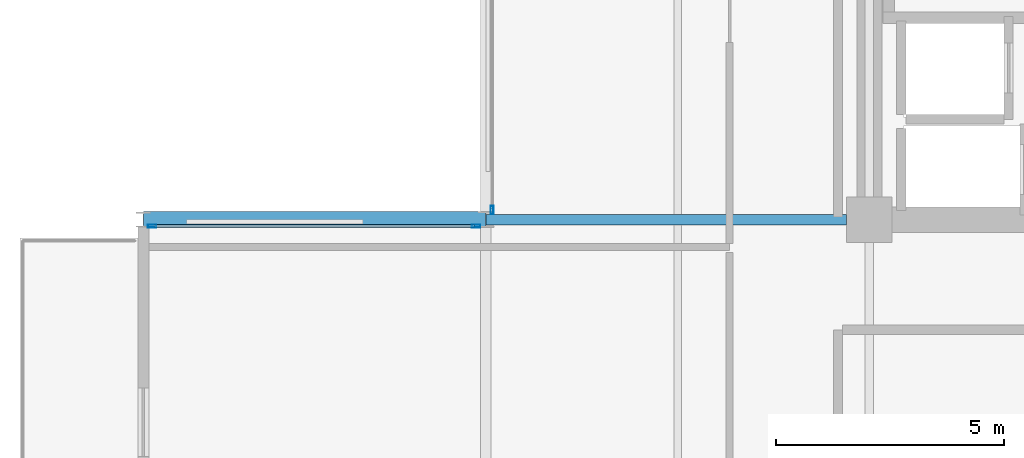
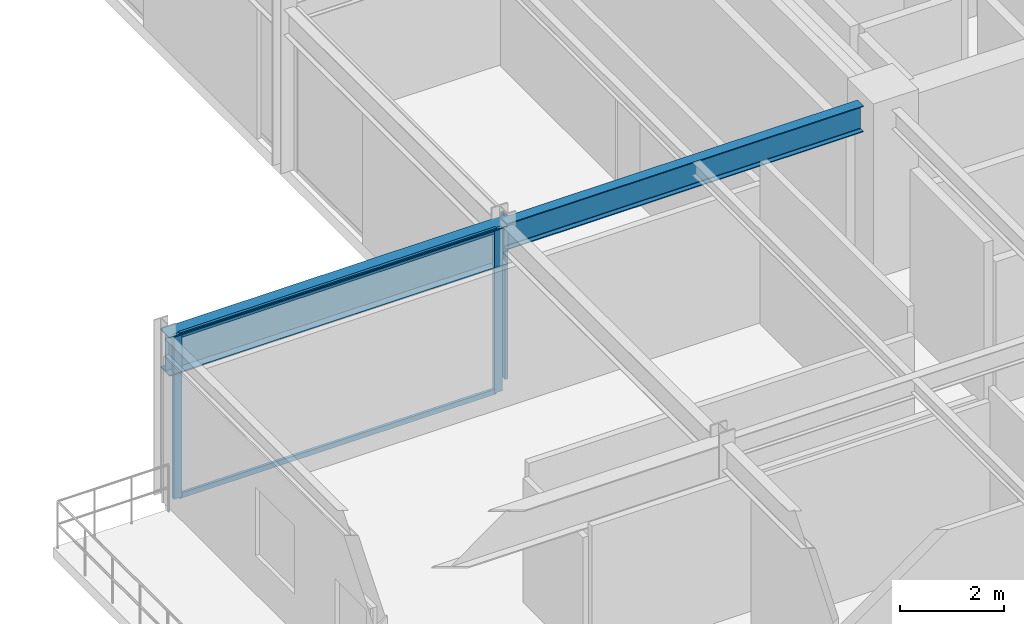
# One storey, part 9 of 29: 5 members, 2 beams, 2 elements without a shape of their own.
"""IFC4 building model written with IfcOpenShell, lengths in metres."""

from ifc_helpers import new_model, si_unit, direction, frame, origin, origin_2d, place, context, subcontext, project, spatial, hollow_rectangle, i_section, extrude, material, layer, layer_set, material_profile, profile_set, type_object, element, aggregate, save


model = new_model("IFC4")

# Units and contexts
model_context = context("Model", 3, precision=1e-05, world=origin(), true_north=direction((0.0, 1.0)))
body_context = subcontext(model_context, "Body", "Model", "MODEL_VIEW")
ifc_project = project(units=[si_unit("LENGTHUNIT", "METRE"), si_unit("AREAUNIT", "SQUARE_METRE"), si_unit("VOLUMEUNIT", "CUBIC_METRE"), si_unit("PLANEANGLEUNIT", "RADIAN"), si_unit("MASSUNIT", "GRAM", prefix="KILO")], contexts=[model_context])

# Site, building, storey
site_placement = place(None, origin())
site = spatial("IfcSite", under=ifc_project, at=site_placement, CompositionType="ELEMENT")
building_placement = place(site_placement, origin())
building = spatial("IfcBuilding", under=site, at=building_placement, Name="Nerrivon Quay Data Exchange", CompositionType="ELEMENT")
storey_placement = place(building_placement, frame((0.0, 0.0, 183.699951171875)))
storey = spatial("IfcBuildingStorey", under=building, at=storey_placement, Name="L43", CompositionType="ELEMENT", Elevation=183.699951171875)

# Beams
ifc_material_1 = material(Name="Steel Grade 350", Category="steel")
ifc_material_profile_1 = material_profile(ifc_material_1, i_section(OverallWidth=0.35009765625, OverallDepth=0.909912109375, WebThickness=0.011962890625, FlangeThickness=0.02490234375, at=origin_2d()), Name="900WB218")
ifc_profile_set_1 = profile_set([ifc_material_profile_1], Name="Steel Grade 350")
beam_type_1 = type_object("IfcBeamType", Name="BM-CANT-900WB", PredefinedType="USERDEFINED", material=ifc_profile_set_1)
beam_1_placement = place(storey_placement, frame((-0.010009765625, 25.199951171875, 3.3701171875), z_axis=(-1.0, 0.0, 0.0), x_axis=(0.0, -1.0, 0.0)))
element("IfcBeam", 1, at=beam_1_placement, inside=storey, type_object=beam_type_1, Name="L43 West Hooked Cantilever Girder Y=25.2", ObjectType="TRANSFER", PredefinedType="USERDEFINED", context=body_context, shape_type="SweptSolid", body=[
    extrude(i_section(OverallWidth=0.35009765625, OverallDepth=0.909912109375, WebThickness=0.011962890625, FlangeThickness=0.02490234375, at=origin_2d()), origin(), (0.0, 0.0, 1.0), 7.482177734375),
])
ifc_material_profile_2 = material_profile(ifc_material_1, i_section(OverallWidth=0.22900390625, OverallDepth=0.612060546875, WebThickness=0.011962890625, FlangeThickness=0.01953125, FilletRadius=0.013916015625, at=origin_2d()), Name="610UB125")
ifc_profile_set_2 = profile_set([ifc_material_profile_2], Name="Steel Grade 350")
beam_type_2 = type_object("IfcBeamType", Name="BM-G1-610UB125", PredefinedType="BEAM", material=ifc_profile_set_2)
beam_2_placement = place(storey_placement, frame((0.010009765625, 25.199951171875, 3.51904296875), z_axis=(1.0, 0.0, 0.0), x_axis=(0.0, 1.0, 0.0)))
element("IfcBeam", 2, at=beam_2_placement, inside=storey, type_object=beam_type_2, Name="L43 EW Girder Y=25.2 (0.0..8.4)", PredefinedType="BEAM", context=body_context, shape_type="SweptSolid", body=[
    extrude(i_section(OverallWidth=0.22900390625, OverallDepth=0.612060546875, WebThickness=0.011962890625, FlangeThickness=0.01953125, FilletRadius=0.013916015625, at=origin_2d()), origin(), (0.0, 0.0, 1.0), 7.889892578125),
])

# Curtain wall, members
ifc_material_2 = material(Name="Anodised aluminium 6063-T6", Category="aluminium")
ifc_layer_1 = layer(ifc_material_2, 0.199951171875)
ifc_layer_set_1 = layer_set([ifc_layer_1], Name="Anodised aluminium 6063-T6")
curtain_wall_type_1 = type_object("IfcCurtainWallType", Name="CW-SYS-04", PredefinedType="NOTDEFINED", material=ifc_layer_set_1)
curtain_wall_1_placement = place(storey_placement, origin())
curtain_wall_1 = element("IfcCurtainWall", 3, at=curtain_wall_1_placement, inside=storey, type_object=curtain_wall_type_1, Name="L43 Unitised Curtain Wall 3", PredefinedType="NOTDEFINED")
ifc_material_profile_3 = material_profile(ifc_material_2, hollow_rectangle(XDim=0.06494140625, YDim=0.179931640625, WallThickness=0.00341796875, at=origin_2d()), Name="ALU-MULL-180x65")
ifc_profile_set_3 = profile_set([ifc_material_profile_3], Name="Anodised aluminium 6063-T6")
member_type_1 = type_object("IfcMemberType", Name="CWM-180x65", PredefinedType="MULLION", material=ifc_profile_set_3)
member_1_placement = place(storey_placement, frame((-7.306884765625, 25.06005859375, 0.0), z_axis=(0.0, 0.0, 1.0), x_axis=(0.0, 1.0, 0.0)))
member_1 = element("IfcMember", 4, at=member_1_placement, type_object=member_type_1, Name="CW04 mullion 1", PredefinedType="MULLION", context=body_context, shape_type="SweptSolid", body=[
    extrude(hollow_rectangle(XDim=0.06494140625, YDim=0.179931640625, WallThickness=0.00341796875, at=origin_2d()), origin(), (0.0, 0.0, 1.0), 3.824951171875),
])
member_2_placement = place(storey_placement, frame((-0.21240234375, 25.06005859375, 0.0), z_axis=(0.0, 0.0, 1.0), x_axis=(0.0, 1.0, 0.0)))
member_2 = element("IfcMember", 5, at=member_2_placement, type_object=member_type_1, Name="CW04 mullion 2", PredefinedType="MULLION", context=body_context, shape_type="SweptSolid", body=[
    extrude(hollow_rectangle(XDim=0.06494140625, YDim=0.179931640625, WallThickness=0.00341796875, at=origin_2d()), origin(), (0.0, 0.0, 1.0), 3.824951171875),
])

# Curtain wall, member
ifc_layer_2 = layer(ifc_material_2, 0.195068359375)
ifc_layer_set_2 = layer_set([ifc_layer_2], Name="Anodised aluminium 6063-T6")
curtain_wall_type_2 = type_object("IfcCurtainWallType", Name="CW-SYS-06", PredefinedType="NOTDEFINED", material=ifc_layer_set_2)
curtain_wall_2_placement = place(storey_placement, origin())
curtain_wall_2 = element("IfcCurtainWall", 6, at=curtain_wall_2_placement, inside=storey, type_object=curtain_wall_type_2, Name="L43 Unitised Curtain Wall 4", PredefinedType="NOTDEFINED")
member_3_placement = place(storey_placement, frame((0.139892578125, 25.41259765625, 0.0), z_axis=(0.0, 0.0, 1.0), x_axis=(-1.0, 0.0, 0.0)))
member_3 = element("IfcMember", 7, at=member_3_placement, type_object=member_type_1, Name="CW06 mullion 1", PredefinedType="MULLION", context=body_context, shape_type="SweptSolid", body=[
    extrude(hollow_rectangle(XDim=0.06494140625, YDim=0.179931640625, WallThickness=0.00341796875, at=origin_2d()), origin(), (0.0, 0.0, 1.0), 3.824951171875),
])
aggregate(curtain_wall_2, [member_3])

# Member
ifc_material_profile_4 = material_profile(ifc_material_2, hollow_rectangle(XDim=0.06005859375, YDim=0.1201171875, WallThickness=0.003173828125, at=origin_2d()), Name="ALU-TRAN-120x60")
ifc_profile_set_4 = profile_set([ifc_material_profile_4], Name="Anodised aluminium 6063-T6")
member_type_2 = type_object("IfcMemberType", Name="CWT-120x60", PredefinedType="USERDEFINED", material=ifc_profile_set_4)
member_4_placement = place(storey_placement, frame((-7.26953125, 25.06005859375, 0.032470703125), z_axis=(1.0, 0.0, 0.0), x_axis=(0.0, 1.0, 0.0)))
member_4 = element("IfcMember", 8, at=member_4_placement, type_object=member_type_2, Name="CW04 transom 1.1", ObjectType="TRANSOM", PredefinedType="USERDEFINED", context=body_context, shape_type="SweptSolid", body=[
    extrude(hollow_rectangle(XDim=0.06005859375, YDim=0.1201171875, WallThickness=0.003173828125, at=origin_2d()), origin(), (0.0, 0.0, 1.0), 7.01953125),
])

member_5_placement = place(storey_placement, frame((-7.26953125, 25.06005859375, 3.79248046875), z_axis=(1.0, 0.0, 0.0), x_axis=(0.0, 1.0, 0.0)))
member_5 = element("IfcMember", 9, at=member_5_placement, type_object=member_type_2, Name="CW04 transom 1.2", ObjectType="TRANSOM", PredefinedType="USERDEFINED", context=body_context, shape_type="SweptSolid", body=[
    extrude(hollow_rectangle(XDim=0.06005859375, YDim=0.1201171875, WallThickness=0.003173828125, at=origin_2d()), origin(), (0.0, 0.0, 1.0), 7.01953125),
])

aggregate(curtain_wall_1, [member_1, member_2, member_4, member_5])

save(model, "model.ifc")
